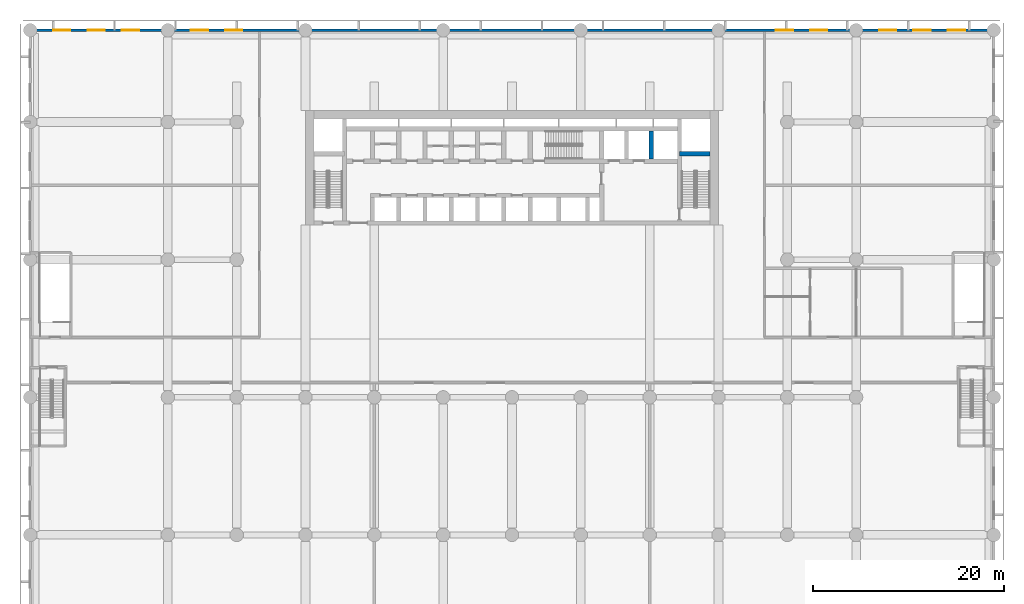
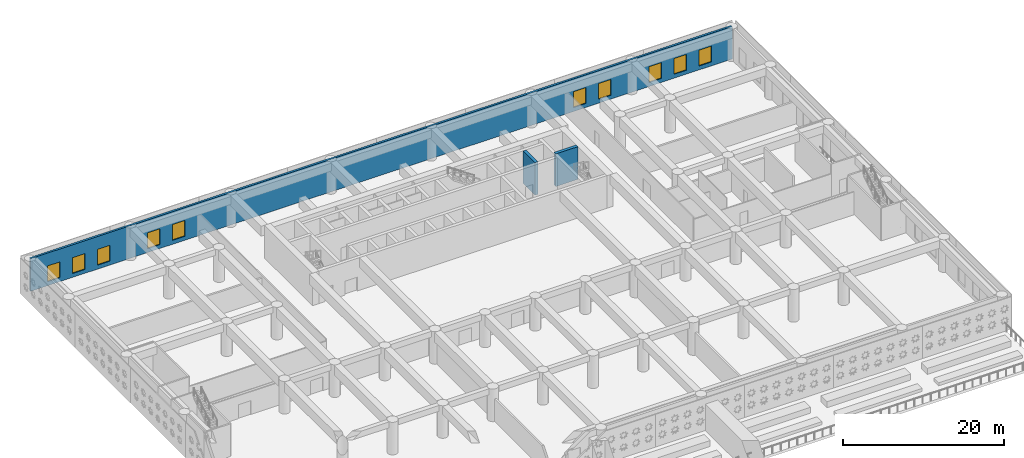
# One storey, part 8 of 24: 10 windows, 3 walls, 10 openings.
"""IFC4 building model written with IfcOpenShell, lengths in metres."""

import ifcopenshell
import ifcopenshell.guid

model = None  # the IFC model being written
_history = None  # IfcOwnerHistory: only IFC2X3 demands one
_inside = {}  # id of a spatial element -> (the spatial element, [elements in it])
_under = {}  # id of a project, library or spatial element -> (it, [spatial elements below it])
_declared = {}  # id of a project -> (the project, [libraries it declares])
_typed = {}  # id of a type object -> (the type object, [elements of that type])
_made_of = {}  # id of a material, layer set ... -> (it, [elements and type objects made of it])


def new_model(schema):
    """Start an empty IFC model of exactly this schema.

    Asked for "IFC4X3", IfcOpenShell would pick the latest addendum, in which some entities
    have other attributes; the version numbers below select the first issue.
    IFC2X3 requires an IfcOwnerHistory on every rooted entity: one is made here for all.
    """
    global model, _history
    if schema == "IFC4X3":
        model = ifcopenshell.file(schema_version=(4, 3, 0, 0))
    else:
        model = ifcopenshell.file(schema=schema)
    _inside.clear()
    _under.clear()
    _declared.clear()
    _typed.clear()
    _made_of.clear()
    _history = None
    if model.schema == "IFC2X3":
        org = make("IfcOrganization", Name="unknown")
        user = make(
            "IfcPersonAndOrganization",
            ThePerson=make("IfcPerson", FamilyName="unknown"),
            TheOrganization=org,
        )
        app = make(
            "IfcApplication",
            ApplicationDeveloper=org,
            Version="unknown",
            ApplicationFullName="unknown",
            ApplicationIdentifier="unknown",
        )
        _history = make(
            "IfcOwnerHistory",
            OwningUser=user,
            OwningApplication=app,
            ChangeAction="ADDED",
            CreationDate=0,
        )
    return model


def make(cls, **values):
    """One entity of the class cls with the attributes given. An attribute that is None is left unset."""
    return model.create_entity(
        cls, **{name: value for name, value in values.items() if value is not None}
    )


def rooted(cls, **values):
    """An entity with a GlobalId (a new one), such as an element, a storey or a relation."""
    return make(cls, GlobalId=ifcopenshell.guid.new(), OwnerHistory=_history, **values)


def si_unit(unit_type, name, prefix=None):
    """IfcSIUnit, for example si_unit("LENGTHUNIT", "METRE", prefix="MILLI")."""
    return make("IfcSIUnit", UnitType=unit_type, Prefix=prefix, Name=name)


def assignment(units):
    """IfcUnitAssignment: the units of a project."""
    return None if units is None else make("IfcUnitAssignment", Units=units)


def point(xyz):
    """IfcCartesianPoint."""
    return None if xyz is None else make("IfcCartesianPoint", Coordinates=xyz)


def direction(xyz):
    """IfcDirection."""
    return None if xyz is None else make("IfcDirection", DirectionRatios=xyz)


def frame(location, z_axis=None, x_axis=None):
    """IfcAxis2Placement3D, a coordinate frame: its origin and axes. An axis left out is left unset."""
    return make(
        "IfcAxis2Placement3D",
        Location=point(location),
        Axis=direction(z_axis),
        RefDirection=direction(x_axis),
    )


def frame_2d(location, x_axis=None):
    """IfcAxis2Placement2D, a coordinate frame in the plane: its origin and x axis."""
    return make(
        "IfcAxis2Placement2D", Location=point(location), RefDirection=direction(x_axis)
    )


def origin():
    """The frame at (0, 0, 0) with its axes left unset."""
    return frame((0.0, 0.0, 0.0))


def place(relative_to, where):
    """IfcLocalPlacement: puts the frame where relative to a parent placement (None: the world)."""
    return make(
        "IfcLocalPlacement", PlacementRelTo=relative_to, RelativePlacement=where
    )


def context(
    kind, dimensions, precision=None, world=None, true_north=None, identifier=None
):
    """IfcGeometricRepresentationContext, for example the 3D "Model" context."""
    return make(
        "IfcGeometricRepresentationContext",
        ContextIdentifier=identifier,
        ContextType=kind,
        CoordinateSpaceDimension=dimensions,
        Precision=precision,
        WorldCoordinateSystem=world,
        TrueNorth=true_north,
    )


def subcontext(parent, identifier, kind, view, scale=None):
    """IfcGeometricRepresentationSubContext, for example "Body" below "Model"."""
    return make(
        "IfcGeometricRepresentationSubContext",
        ContextIdentifier=identifier,
        ContextType=kind,
        ParentContext=parent,
        TargetScale=scale,
        TargetView=view,
    )


def project(units=None, contexts=None):
    """IfcProject with its units and contexts."""
    return rooted(
        "IfcProject",
        Name="project",
        RepresentationContexts=contexts,
        UnitsInContext=assignment(units),
    )


def spatial(cls, under=None, at=None, **own):
    """A site, building, storey or space (cls), placed at a placement, below another one or the project."""
    s = rooted(cls, ObjectPlacement=at, **own)
    if under is not None:
        _under.setdefault(under.id(), (under, []))[1].append(s)
    return s


def profile(cls, at=None, kind="AREA", **sizes):
    """A parametric profile (cls). Its sizes go by their IFC names, for example OverallWidth=200.0."""
    return make(cls, ProfileType=kind, Position=at, **sizes)


def rectangle(**sizes):
    """IfcRectangleProfileDef."""
    return profile("IfcRectangleProfileDef", **sizes)


def extrude(swept, where, along, depth):
    """IfcExtrudedAreaSolid: the profile swept, set in the frame where, extruded along a direction by depth."""
    return make(
        "IfcExtrudedAreaSolid",
        SweptArea=swept,
        Position=where,
        ExtrudedDirection=direction(along),
        Depth=depth,
    )


def shape(context_of_items, identifier, shape_type, items):
    """IfcShapeRepresentation: the items that make up one representation, for example the "Body"."""
    return make(
        "IfcShapeRepresentation",
        ContextOfItems=context_of_items,
        RepresentationIdentifier=identifier,
        RepresentationType=shape_type,
        Items=items,
    )


def material(Name=None, Category=None):
    """IfcMaterial."""
    return make("IfcMaterial", Name=Name, Category=Category)


def layer(
    of_material, thickness, ventilated=None, Name=None, Category=None, Priority=None
):
    """IfcMaterialLayer: one layer of a wall or slab, of a material (None: an air gap)."""
    return make(
        "IfcMaterialLayer",
        Material=of_material,
        LayerThickness=thickness,
        IsVentilated=ventilated,
        Name=Name,
        Category=Category,
        Priority=Priority,
    )


def layer_set(layers, Name=None):
    """IfcMaterialLayerSet."""
    return make("IfcMaterialLayerSet", MaterialLayers=layers, LayerSetName=Name)


def made_of(thing, what):
    """Note that an element or type object is made of a material, layer set ...; save() writes the relation."""
    if what is not None:
        _made_of.setdefault(what.id(), (what, []))[1].append(thing)
    return thing


def type_object(cls, material=None, **own):
    """A type object (cls), such as IfcWallType, which elements share."""
    return made_of(rooted(cls, **own), material)


def element(
    cls,
    number,
    at=None,
    inside=None,
    cuts=None,
    type_object=None,
    material=None,
    context=None,
    identifier="Body",
    shape_type=None,
    held_by="IfcProductDefinitionShape",
    body=None,
    shapes=None,
    **own,
):
    """One element of the class cls, such as IfcWall. Its Tag is "e" and its number.

    at: its placement. inside: the storey or other place that contains it. cuts: it is an
    opening in that element (IfcRelVoidsElement). A single representation is given by context,
    identifier, shape_type and body (its items); several are given by shapes. held_by: the class
    of the entity that holds the representations. save() writes the other relations.
    """
    e = rooted(cls, Tag="e%d" % number, ObjectPlacement=at, **own)
    if body is not None:
        shapes = [shape(context, identifier, shape_type, body)]
    if shapes is not None:
        e.Representation = make(held_by, Representations=shapes)
    if inside is not None:
        _inside.setdefault(inside.id(), (inside, []))[1].append(e)
    if cuts is not None:
        rooted(
            "IfcRelVoidsElement", RelatingBuildingElement=cuts, RelatedOpeningElement=e
        )
    if type_object is not None:
        _typed.setdefault(type_object.id(), (type_object, []))[1].append(e)
    return made_of(e, material)


def fill(opening, filler):
    """IfcRelFillsElement: the door or window that sits in an opening."""
    return rooted(
        "IfcRelFillsElement",
        RelatingOpeningElement=opening,
        RelatedBuildingElement=filler,
    )


def aggregate(whole, parts):
    """IfcRelAggregates: a whole, such as a stair, and the parts it consists of."""
    return rooted("IfcRelAggregates", RelatingObject=whole, RelatedObjects=parts)


def save(model, path):
    """Write the relations noted so far, then the file.

    IfcRelAggregates (storeys below a building ...), IfcRelContainedInSpatialStructure (elements
    in a storey), IfcRelDefinesByType, IfcRelAssociatesMaterial and IfcRelDeclares: one each for
    every whole, place, type object, material and project.
    """
    for whole, parts in _under.values():
        aggregate(whole, parts)
    for where, things in _inside.values():
        rooted(
            "IfcRelContainedInSpatialStructure",
            RelatedElements=things,
            RelatingStructure=where,
        )
    for kind, things in _typed.values():
        rooted("IfcRelDefinesByType", RelatedObjects=things, RelatingType=kind)
    for what, things in _made_of.values():
        rooted("IfcRelAssociatesMaterial", RelatedObjects=things, RelatingMaterial=what)
    for by, libraries in _declared.values():
        rooted("IfcRelDeclares", RelatingContext=by, RelatedDefinitions=libraries)
    model.write(path)


model = new_model("IFC4")

# Units and contexts
model_context = context("Model", 3, precision=1e-05, world=origin(), true_north=direction((0.0, 1.0)))
body_context = subcontext(model_context, "Body", "Model", "MODEL_VIEW")
ifc_project = project(units=[si_unit("LENGTHUNIT", "METRE"), si_unit("AREAUNIT", "SQUARE_METRE"), si_unit("VOLUMEUNIT", "CUBIC_METRE"), si_unit("PLANEANGLEUNIT", "RADIAN"), si_unit("MASSUNIT", "GRAM", prefix="KILO")], contexts=[model_context])

# Site, building, storey
site_placement = place(None, origin())
site = spatial("IfcSite", under=ifc_project, at=site_placement, CompositionType="ELEMENT")
building_placement = place(site_placement, origin())
building = spatial("IfcBuilding", under=site, at=building_placement, Name="Saffron Iwan Residences", CompositionType="ELEMENT")
storey_placement = place(building_placement, frame((0.0, 0.0, 21.60009765625)))
storey = spatial("IfcBuildingStorey", under=building, at=storey_placement, Name="L04", CompositionType="ELEMENT", Elevation=21.60009765625)

# Wall, openings, windows
ifc_material_1 = material(Name="Precast concrete C40/50", Category="concrete")
ifc_layer_1 = layer(ifc_material_1, 0.300048828125)
ifc_layer_set_1 = layer_set([ifc_layer_1], Name="Precast concrete C40/50")
wall_type_1 = type_object("IfcWallType", Name="Podium external wall 300", PredefinedType="SOLIDWALL", material=ifc_layer_set_1)
wall_1_placement = place(storey_placement, frame((0.0, 86.39990234375, 0.0), z_axis=(0.0, 0.0, 1.0), x_axis=(1.0, 0.0, 0.0)))
wall_1 = element("IfcWall", 1, at=wall_1_placement, inside=storey, type_object=wall_type_1, Name="W-L04-017", PredefinedType="SOLIDWALL", context=body_context, shape_type="SweptSolid", body=[
    extrude(rectangle(XDim=100.800048828125, YDim=0.300048828125, at=frame_2d((50.39990234375, 0.0))), origin(), (0.0, 0.0, 1.0), 4.949951171875),
])
opening_1_placement = place(wall_1_placement, frame((2.39990234375, 0.0, 0.60009765625)))
opening_1 = element("IfcOpeningElement", 2, at=opening_1_placement, cuts=wall_1, Name="Opening W7", PredefinedType="OPENING", context=body_context, shape_type="SweptSolid", body=[
    extrude(rectangle(XDim=1.800048828125, YDim=2.39990234375, at=frame_2d((0.89990234375, 1.199951171875))), frame((0.0, 0.16015625, 0.0), z_axis=(0.0, -1.0, 0.0), x_axis=(1.0, 0.0, 0.0)), (0.0, 0.0, 1.0), 0.320068359375),
])
opening_2_placement = place(wall_1_placement, frame((6.0, 0.0, 0.60009765625)))
opening_2 = element("IfcOpeningElement", 3, at=opening_2_placement, cuts=wall_1, Name="Opening W7", PredefinedType="OPENING", context=body_context, shape_type="SweptSolid", body=[
    extrude(rectangle(XDim=1.800048828125, YDim=2.39990234375, at=frame_2d((0.89990234375, 1.199951171875))), frame((0.0, 0.16015625, 0.0), z_axis=(0.0, -1.0, 0.0), x_axis=(1.0, 0.0, 0.0)), (0.0, 0.0, 1.0), 0.320068359375),
])
opening_3_placement = place(wall_1_placement, frame((9.60009765625, 0.0, 0.60009765625)))
opening_3 = element("IfcOpeningElement", 4, at=opening_3_placement, cuts=wall_1, Name="Opening W7", PredefinedType="OPENING", context=body_context, shape_type="SweptSolid", body=[
    extrude(rectangle(XDim=1.800048828125, YDim=2.39990234375, at=frame_2d((0.89990234375, 1.199951171875))), frame((0.0, 0.16015625, 0.0), z_axis=(0.0, -1.0, 0.0), x_axis=(1.0, 0.0, 0.0)), (0.0, 0.0, 1.0), 0.320068359375),
])
opening_4_placement = place(wall_1_placement, frame((16.800048828125, 0.0, 0.60009765625)))
opening_4 = element("IfcOpeningElement", 5, at=opening_4_placement, cuts=wall_1, Name="Opening W7", PredefinedType="OPENING", context=body_context, shape_type="SweptSolid", body=[
    extrude(rectangle(XDim=1.800048828125, YDim=2.39990234375, at=frame_2d((0.89990234375, 1.199951171875))), frame((0.0, 0.16015625, 0.0), z_axis=(0.0, -1.0, 0.0), x_axis=(1.0, 0.0, 0.0)), (0.0, 0.0, 1.0), 0.320068359375),
])
opening_5_placement = place(wall_1_placement, frame((20.39990234375, 0.0, 0.60009765625)))
opening_5 = element("IfcOpeningElement", 6, at=opening_5_placement, cuts=wall_1, Name="Opening W7", PredefinedType="OPENING", context=body_context, shape_type="SweptSolid", body=[
    extrude(rectangle(XDim=1.800048828125, YDim=2.39990234375, at=frame_2d((0.89990234375, 1.199951171875))), frame((0.0, 0.16015625, 0.0), z_axis=(0.0, -1.0, 0.0), x_axis=(1.0, 0.0, 0.0)), (0.0, 0.0, 1.0), 0.320068359375),
])
opening_6_placement = place(wall_1_placement, frame((78.0, 0.0, 0.60009765625)))
opening_6 = element("IfcOpeningElement", 7, at=opening_6_placement, cuts=wall_1, Name="Opening W7", PredefinedType="OPENING", context=body_context, shape_type="SweptSolid", body=[
    extrude(rectangle(XDim=1.800048828125, YDim=2.39990234375, at=frame_2d((0.89990234375, 1.199951171875))), frame((0.0, 0.16015625, 0.0), z_axis=(0.0, -1.0, 0.0), x_axis=(1.0, 0.0, 0.0)), (0.0, 0.0, 1.0), 0.320068359375),
])
opening_7_placement = place(wall_1_placement, frame((81.60009765625, 0.0, 0.60009765625)))
opening_7 = element("IfcOpeningElement", 8, at=opening_7_placement, cuts=wall_1, Name="Opening W7", PredefinedType="OPENING", context=body_context, shape_type="SweptSolid", body=[
    extrude(rectangle(XDim=1.800048828125, YDim=2.39990234375, at=frame_2d((0.89990234375, 1.199951171875))), frame((0.0, 0.16015625, 0.0), z_axis=(0.0, -1.0, 0.0), x_axis=(1.0, 0.0, 0.0)), (0.0, 0.0, 1.0), 0.320068359375),
])
opening_8_placement = place(wall_1_placement, frame((88.800048828125, 0.0, 0.60009765625)))
opening_8 = element("IfcOpeningElement", 9, at=opening_8_placement, cuts=wall_1, Name="Opening W7", PredefinedType="OPENING", context=body_context, shape_type="SweptSolid", body=[
    extrude(rectangle(XDim=1.800048828125, YDim=2.39990234375, at=frame_2d((0.89990234375, 1.199951171875))), frame((0.0, 0.16015625, 0.0), z_axis=(0.0, -1.0, 0.0), x_axis=(1.0, 0.0, 0.0)), (0.0, 0.0, 1.0), 0.320068359375),
])
opening_9_placement = place(wall_1_placement, frame((92.39990234375, 0.0, 0.60009765625)))
opening_9 = element("IfcOpeningElement", 10, at=opening_9_placement, cuts=wall_1, Name="Opening W7", PredefinedType="OPENING", context=body_context, shape_type="SweptSolid", body=[
    extrude(rectangle(XDim=1.800048828125, YDim=2.39990234375, at=frame_2d((0.89990234375, 1.199951171875))), frame((0.0, 0.16015625, 0.0), z_axis=(0.0, -1.0, 0.0), x_axis=(1.0, 0.0, 0.0)), (0.0, 0.0, 1.0), 0.320068359375),
])
opening_10_placement = place(wall_1_placement, frame((96.0, 0.0, 0.60009765625)))
opening_10 = element("IfcOpeningElement", 11, at=opening_10_placement, cuts=wall_1, Name="Opening W7", PredefinedType="OPENING", context=body_context, shape_type="SweptSolid", body=[
    extrude(rectangle(XDim=1.800048828125, YDim=2.39990234375, at=frame_2d((0.89990234375, 1.199951171875))), frame((0.0, 0.16015625, 0.0), z_axis=(0.0, -1.0, 0.0), x_axis=(1.0, 0.0, 0.0)), (0.0, 0.0, 1.0), 0.320068359375),
])
ifc_material_2 = material(Name="Clear glass, laminated double glazed", Category="glass")
window_type = type_object("IfcWindowType", Name="WINDOW 1800 x 2400 PODIUM", PartitioningType="DOUBLE_PANEL_VERTICAL", PredefinedType="WINDOW", material=ifc_material_2)
window_1_placement = place(opening_1_placement, origin())
window_1 = element("IfcWindow", 12, at=window_1_placement, inside=storey, type_object=window_type, Name="Window L04 W-L04-017.0", OverallHeight=2.39990234375, OverallWidth=1.800048828125, PartitioningType="DOUBLE_PANEL_VERTICAL", PredefinedType="WINDOW", context=body_context, shape_type="SweptSolid", body=[
    extrude(rectangle(XDim=1.800048828125, YDim=2.39990234375, at=frame_2d((0.89990234375, 1.199951171875))), frame((0.0, 0.030029296875, 0.0), z_axis=(0.0, -1.0, 0.0), x_axis=(1.0, 0.0, 0.0)), (0.0, 0.0, 1.0), 0.06005859375),
])
fill(opening_1, window_1)
window_2_placement = place(opening_2_placement, origin())
window_2 = element("IfcWindow", 13, at=window_2_placement, inside=storey, type_object=window_type, Name="Window L04 W-L04-017.1", OverallHeight=2.39990234375, OverallWidth=1.800048828125, PartitioningType="DOUBLE_PANEL_VERTICAL", PredefinedType="WINDOW", context=body_context, shape_type="SweptSolid", body=[
    extrude(rectangle(XDim=1.800048828125, YDim=2.39990234375, at=frame_2d((0.89990234375, 1.199951171875))), frame((0.0, 0.030029296875, 0.0), z_axis=(0.0, -1.0, 0.0), x_axis=(1.0, 0.0, 0.0)), (0.0, 0.0, 1.0), 0.06005859375),
])
fill(opening_2, window_2)
window_3_placement = place(opening_3_placement, origin())
window_3 = element("IfcWindow", 14, at=window_3_placement, inside=storey, type_object=window_type, Name="Window L04 W-L04-017.2", OverallHeight=2.39990234375, OverallWidth=1.800048828125, PartitioningType="DOUBLE_PANEL_VERTICAL", PredefinedType="WINDOW", context=body_context, shape_type="SweptSolid", body=[
    extrude(rectangle(XDim=1.800048828125, YDim=2.39990234375, at=frame_2d((0.89990234375, 1.199951171875))), frame((0.0, 0.030029296875, 0.0), z_axis=(0.0, -1.0, 0.0), x_axis=(1.0, 0.0, 0.0)), (0.0, 0.0, 1.0), 0.06005859375),
])
fill(opening_3, window_3)
window_4_placement = place(opening_4_placement, origin())
window_4 = element("IfcWindow", 15, at=window_4_placement, inside=storey, type_object=window_type, Name="Window L04 W-L04-017.3", OverallHeight=2.39990234375, OverallWidth=1.800048828125, PartitioningType="DOUBLE_PANEL_VERTICAL", PredefinedType="WINDOW", context=body_context, shape_type="SweptSolid", body=[
    extrude(rectangle(XDim=1.800048828125, YDim=2.39990234375, at=frame_2d((0.89990234375, 1.199951171875))), frame((0.0, 0.030029296875, 0.0), z_axis=(0.0, -1.0, 0.0), x_axis=(1.0, 0.0, 0.0)), (0.0, 0.0, 1.0), 0.06005859375),
])
fill(opening_4, window_4)
window_5_placement = place(opening_5_placement, origin())
window_5 = element("IfcWindow", 16, at=window_5_placement, inside=storey, type_object=window_type, Name="Window L04 W-L04-017.4", OverallHeight=2.39990234375, OverallWidth=1.800048828125, PartitioningType="DOUBLE_PANEL_VERTICAL", PredefinedType="WINDOW", context=body_context, shape_type="SweptSolid", body=[
    extrude(rectangle(XDim=1.800048828125, YDim=2.39990234375, at=frame_2d((0.89990234375, 1.199951171875))), frame((0.0, 0.030029296875, 0.0), z_axis=(0.0, -1.0, 0.0), x_axis=(1.0, 0.0, 0.0)), (0.0, 0.0, 1.0), 0.06005859375),
])
fill(opening_5, window_5)
window_6_placement = place(opening_6_placement, origin())
window_6 = element("IfcWindow", 17, at=window_6_placement, inside=storey, type_object=window_type, Name="Window L04 W-L04-017.5", OverallHeight=2.39990234375, OverallWidth=1.800048828125, PartitioningType="DOUBLE_PANEL_VERTICAL", PredefinedType="WINDOW", context=body_context, shape_type="SweptSolid", body=[
    extrude(rectangle(XDim=1.800048828125, YDim=2.39990234375, at=frame_2d((0.89990234375, 1.199951171875))), frame((0.0, 0.030029296875, 0.0), z_axis=(0.0, -1.0, 0.0), x_axis=(1.0, 0.0, 0.0)), (0.0, 0.0, 1.0), 0.06005859375),
])
fill(opening_6, window_6)
window_7_placement = place(opening_7_placement, origin())
window_7 = element("IfcWindow", 18, at=window_7_placement, inside=storey, type_object=window_type, Name="Window L04 W-L04-017.6", OverallHeight=2.39990234375, OverallWidth=1.800048828125, PartitioningType="DOUBLE_PANEL_VERTICAL", PredefinedType="WINDOW", context=body_context, shape_type="SweptSolid", body=[
    extrude(rectangle(XDim=1.800048828125, YDim=2.39990234375, at=frame_2d((0.89990234375, 1.199951171875))), frame((0.0, 0.030029296875, 0.0), z_axis=(0.0, -1.0, 0.0), x_axis=(1.0, 0.0, 0.0)), (0.0, 0.0, 1.0), 0.06005859375),
])
fill(opening_7, window_7)
window_8_placement = place(opening_8_placement, origin())
window_8 = element("IfcWindow", 19, at=window_8_placement, inside=storey, type_object=window_type, Name="Window L04 W-L04-017.7", OverallHeight=2.39990234375, OverallWidth=1.800048828125, PartitioningType="DOUBLE_PANEL_VERTICAL", PredefinedType="WINDOW", context=body_context, shape_type="SweptSolid", body=[
    extrude(rectangle(XDim=1.800048828125, YDim=2.39990234375, at=frame_2d((0.89990234375, 1.199951171875))), frame((0.0, 0.030029296875, 0.0), z_axis=(0.0, -1.0, 0.0), x_axis=(1.0, 0.0, 0.0)), (0.0, 0.0, 1.0), 0.06005859375),
])
fill(opening_8, window_8)
window_9_placement = place(opening_9_placement, origin())
window_9 = element("IfcWindow", 20, at=window_9_placement, inside=storey, type_object=window_type, Name="Window L04 W-L04-017.8", OverallHeight=2.39990234375, OverallWidth=1.800048828125, PartitioningType="DOUBLE_PANEL_VERTICAL", PredefinedType="WINDOW", context=body_context, shape_type="SweptSolid", body=[
    extrude(rectangle(XDim=1.800048828125, YDim=2.39990234375, at=frame_2d((0.89990234375, 1.199951171875))), frame((0.0, 0.030029296875, 0.0), z_axis=(0.0, -1.0, 0.0), x_axis=(1.0, 0.0, 0.0)), (0.0, 0.0, 1.0), 0.06005859375),
])
fill(opening_9, window_9)
window_10_placement = place(opening_10_placement, origin())
window_10 = element("IfcWindow", 21, at=window_10_placement, inside=storey, type_object=window_type, Name="Window L04 W-L04-017.9", OverallHeight=2.39990234375, OverallWidth=1.800048828125, PartitioningType="DOUBLE_PANEL_VERTICAL", PredefinedType="WINDOW", context=body_context, shape_type="SweptSolid", body=[
    extrude(rectangle(XDim=1.800048828125, YDim=2.39990234375, at=frame_2d((0.89990234375, 1.199951171875))), frame((0.0, 0.030029296875, 0.0), z_axis=(0.0, -1.0, 0.0), x_axis=(1.0, 0.0, 0.0)), (0.0, 0.0, 1.0), 0.06005859375),
])
fill(opening_10, window_10)

# Walls
ifc_material_3 = material(Name="Concrete C60/75", Category="concrete")
ifc_layer_2 = layer(ifc_material_3, 0.449951171875)
ifc_layer_set_2 = layer_set([ifc_layer_2], Name="Concrete C60/75")
wall_type_2 = type_object("IfcWallType", Name="WALL CORE 450 C60/75 4950 HIGH", PredefinedType="SHEAR", material=ifc_layer_set_2)
wall_2_placement = place(storey_placement, frame((67.925048828125, 73.47509765625, 0.0), z_axis=(0.0, 0.0, 1.0), x_axis=(1.0, 0.0, 0.0)))
element("IfcWall", 22, at=wall_2_placement, inside=storey, type_object=wall_type_2, Name="Core wall", PredefinedType="SHEAR", context=body_context, shape_type="SweptSolid", body=[
    extrude(rectangle(XDim=3.175048828125, YDim=0.449951171875, at=frame_2d((1.58740234375, 0.0))), origin(), (0.0, 0.0, 1.0), 4.949951171875),
])
wall_3_placement = place(storey_placement, frame((64.97509765625, 72.925048828125, 0.0), z_axis=(0.0, 0.0, 1.0), x_axis=(0.0, 1.0, 0.0)))
element("IfcWall", 23, at=wall_3_placement, inside=storey, type_object=wall_type_2, Name="Core wall", PredefinedType="SHEAR", context=body_context, shape_type="SweptSolid", body=[
    extrude(rectangle(XDim=2.949951171875, YDim=0.449951171875, at=frame_2d((1.47509765625, 0.0))), origin(), (0.0, 0.0, 1.0), 4.949951171875),
])

save(model, "model.ifc")
